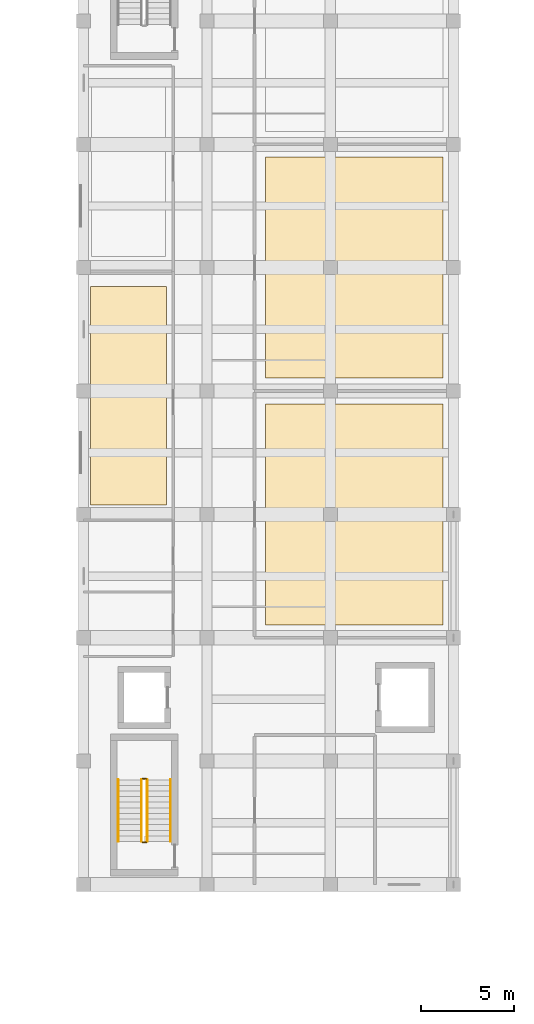
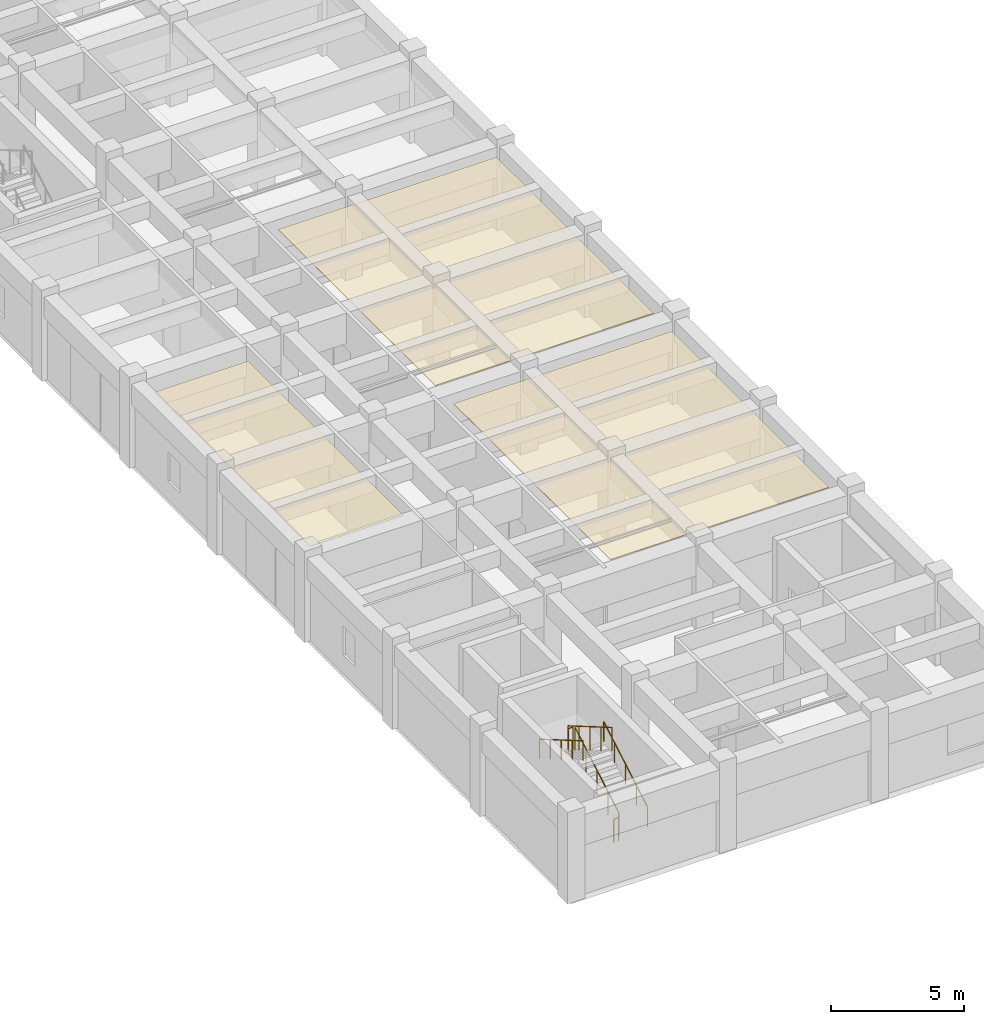
# One storey, part 145 of 148: 6 railings, 3 coverings.
"""IFC4 building model written with IfcOpenShell, lengths in metres."""

from ifc_helpers import new_model, si_unit, direction, frame, origin, origin_2d, place, context, subcontext, project, spatial, polyline, circle, outline, extrude, material, layer, layer_set, type_object, element, save


model = new_model("IFC4")

# Units and contexts
model_context = context("Model", 3, precision=1e-05, world=origin(), true_north=direction((0.0, 1.0)))
body_context = subcontext(model_context, "Body", "Model", "MODEL_VIEW")
ifc_project = project(units=[si_unit("LENGTHUNIT", "METRE"), si_unit("AREAUNIT", "SQUARE_METRE"), si_unit("VOLUMEUNIT", "CUBIC_METRE"), si_unit("PLANEANGLEUNIT", "RADIAN"), si_unit("MASSUNIT", "GRAM", prefix="KILO")], contexts=[model_context])

# Site, building, storey
site_placement = place(None, origin())
site = spatial("IfcSite", under=ifc_project, at=site_placement, CompositionType="ELEMENT")
building_placement = place(site_placement, origin())
building = spatial("IfcBuilding", under=site, at=building_placement, Name="Karori Crest Natural Sciences Institute", CompositionType="ELEMENT")
storey_placement = place(building_placement, frame((0.0, 0.0, 4.89990234375)))
storey = spatial("IfcBuildingStorey", under=building, at=storey_placement, Name="L01", CompositionType="ELEMENT", Elevation=4.89990234375)

# Coverings
ifc_material_1 = material(Name="Acoustic mineral fibre ceiling tile")
ifc_layer = layer(ifc_material_1, 0.02490234375, Name="Acoustic mineral fibre ceiling tile")
ifc_layer_set = layer_set([ifc_layer], Name="Acoustic mineral fibre ceiling tile")
covering_type = type_object("IfcCoveringType", Name="CVT-CEIL", PredefinedType="CEILING", material=ifc_layer_set)
covering_1_placement = place(storey_placement, frame((0.0, 0.0, 3.625)))
element("IfcCovering", 1, at=covering_1_placement, inside=storey, type_object=covering_type, Name="Acoustic ceiling CLG-0023", PredefinedType="CEILING", context=body_context, shape_type="SweptSolid", body=[
    extrude(outline(polyline([(7.76953125, 126.998779296875), (7.76953125, 115.30126953125), (11.830322265625, 115.30126953125), (11.830322265625, 126.998779296875), (7.76953125, 126.998779296875)])), origin(), (0.0, 0.0, 1.0), 0.025146484375),
])
covering_2_placement = place(storey_placement, frame((0.0, 0.0, 3.625)))
element("IfcCovering", 2, at=covering_2_placement, inside=storey, type_object=covering_type, Name="Acoustic ceiling CLG-0026", PredefinedType="CEILING", context=body_context, shape_type="SweptSolid", body=[
    extrude(outline(polyline([(17.128173828125, 120.714111328125), (17.128173828125, 108.885986328125), (26.621826171875, 108.885986328125), (26.621826171875, 120.714111328125), (17.128173828125, 120.714111328125)])), origin(), (0.0, 0.0, 1.0), 0.025146484375),
])
covering_3_placement = place(storey_placement, frame((0.0, 0.0, 3.625)))
element("IfcCovering", 3, at=covering_3_placement, inside=storey, type_object=covering_type, Name="Acoustic ceiling CLG-0027", PredefinedType="CEILING", context=body_context, shape_type="SweptSolid", body=[
    extrude(outline(polyline([(17.128173828125, 133.9140625), (17.128173828125, 122.0859375), (26.621826171875, 122.0859375), (26.621826171875, 133.9140625), (17.128173828125, 133.9140625)])), origin(), (0.0, 0.0, 1.0), 0.025146484375),
])

# Railings
ifc_material_2 = material(Name="Stainless steel 316 tubular handrail", Category="steel")
railing_type_1 = type_object("IfcRailingType", Name="RLT-HND", PredefinedType="HANDRAIL", material=ifc_material_2)
railing_1_placement = place(storey_placement, frame((12.050048828125, 97.300048828125, 0.175048828125)))
element("IfcRailing", 4, at=railing_1_placement, inside=storey, type_object=railing_type_1, Name="Stair handrail RL-0243", PredefinedType="HANDRAIL", context=body_context, shape_type="SweptSolid", body=[
    extrude(circle(Radius=0.02392578125, at=origin_2d()), frame((0.0, 0.0, 0.90087890625), z_axis=(0.0, 0.863776583165, 0.503874998761), x_axis=(-1.0, 0.0, 0.0)), (0.0, 0.0, 1.0), 3.820556640625),
    extrude(circle(Radius=0.02099609375, at=origin_2d()), origin(), (0.0, 0.0, 1.0), 0.876953125),
    extrude(circle(Radius=0.02099609375, at=origin_2d()), frame((0.0, 0.824951171875, 0.481201171875)), (0.0, 0.0, 1.0), 0.876953125),
    extrude(circle(Radius=0.02099609375, at=origin_2d()), frame((0.0, 1.64990234375, 0.96240234375)), (0.0, 0.0, 1.0), 0.876953125),
    extrude(circle(Radius=0.02099609375, at=origin_2d()), frame((0.0, 2.47509765625, 1.44384765625)), (0.0, 0.0, 1.0), 0.876953125),
    extrude(circle(Radius=0.02099609375, at=origin_2d()), frame((0.0, 3.300048828125, 1.925048828125)), (0.0, 0.0, 1.0), 0.876953125),
])
railing_2_placement = place(storey_placement, frame((9.25, 100.60009765625, 2.275146484375)))
element("IfcRailing", 5, at=railing_2_placement, inside=storey, type_object=railing_type_1, Name="Stair handrail RL-0244", PredefinedType="HANDRAIL", context=body_context, shape_type="SweptSolid", body=[
    extrude(circle(Radius=0.02392578125, at=origin_2d()), frame((0.0, 0.0, 0.90087890625), z_axis=(0.0, -0.863776583165, 0.503874998761), x_axis=(1.0, 0.0, 0.0)), (0.0, 0.0, 1.0), 3.820556640625),
    extrude(circle(Radius=0.02099609375, at=origin_2d()), origin(), (0.0, 0.0, 1.0), 0.876953125),
    extrude(circle(Radius=0.02099609375, at=origin_2d()), frame((0.0, -0.824951171875, 0.481201171875)), (0.0, 0.0, 1.0), 0.876953125),
    extrude(circle(Radius=0.02099609375, at=origin_2d()), frame((0.0, -1.64990234375, 0.96240234375)), (0.0, 0.0, 1.0), 0.876953125),
    extrude(circle(Radius=0.02099609375, at=origin_2d()), frame((0.0, -2.47509765625, 1.44384765625)), (0.0, 0.0, 1.0), 0.876953125),
    extrude(circle(Radius=0.02099609375, at=origin_2d()), frame((0.0, -3.300048828125, 1.925048828125)), (0.0, 0.0, 1.0), 0.876953125),
])
ifc_material_3 = material(Name="Stainless steel 316 stair guard", Category="steel")
railing_type_2 = type_object("IfcRailingType", Name="RLT-STG", PredefinedType="GUARDRAIL", material=ifc_material_3)
railing_3_placement = place(storey_placement, frame((10.800048828125, 97.300048828125, 0.175048828125)))
element("IfcRailing", 6, at=railing_3_placement, inside=storey, type_object=railing_type_2, Name="Stair guard RL-0239", PredefinedType="GUARDRAIL", context=body_context, shape_type="SweptSolid", body=[
    extrude(circle(Radius=0.02392578125, at=origin_2d()), frame((0.0, 0.0, 1.076171875), z_axis=(0.0, 0.863776583165, 0.503874998761), x_axis=(-1.0, 0.0, 0.0)), (0.0, 0.0, 1.0), 3.820556640625),
    extrude(circle(Radius=0.02099609375, at=origin_2d()), origin(), (0.0, 0.0, 1.0), 1.052001953125),
    extrude(circle(Radius=0.02099609375, at=origin_2d()), frame((0.0, 0.824951171875, 0.481201171875)), (0.0, 0.0, 1.0), 1.052001953125),
    extrude(circle(Radius=0.02099609375, at=origin_2d()), frame((0.0, 1.64990234375, 0.96240234375)), (0.0, 0.0, 1.0), 1.052001953125),
    extrude(circle(Radius=0.02099609375, at=origin_2d()), frame((0.0, 2.47509765625, 1.44384765625)), (0.0, 0.0, 1.0), 1.052001953125),
    extrude(circle(Radius=0.02099609375, at=origin_2d()), frame((0.0, 3.300048828125, 1.925048828125)), (0.0, 0.0, 1.0), 1.052001953125),
])
railing_4_placement = place(storey_placement, frame((10.75, 100.64990234375, 2.10009765625)))
element("IfcRailing", 7, at=railing_4_placement, inside=storey, type_object=railing_type_2, Name="Stair guard RL-0240", PredefinedType="GUARDRAIL", context=body_context, shape_type="SweptSolid", body=[
    extrude(circle(Radius=0.02392578125, at=origin_2d()), frame((0.0, 0.0, 1.076171875), z_axis=(-1.0, 0.0, 0.0), x_axis=(0.0, -1.0, 0.0)), (0.0, 0.0, 1.0), 0.199951171875),
    extrude(circle(Radius=0.02099609375, at=origin_2d()), origin(), (0.0, 0.0, 1.0), 1.052001953125),
    extrude(circle(Radius=0.02099609375, at=origin_2d()), frame((-0.199951171875, 0.0, 0.0)), (0.0, 0.0, 1.0), 1.052001953125),
])
railing_5_placement = place(storey_placement, frame((10.5, 100.60009765625, 2.275146484375)))
element("IfcRailing", 8, at=railing_5_placement, inside=storey, type_object=railing_type_2, Name="Stair guard RL-0241", PredefinedType="GUARDRAIL", context=body_context, shape_type="SweptSolid", body=[
    extrude(circle(Radius=0.02392578125, at=origin_2d()), frame((0.0, 0.0, 1.076171875), z_axis=(0.0, -0.863776583165, 0.503874998761), x_axis=(1.0, 0.0, 0.0)), (0.0, 0.0, 1.0), 3.820556640625),
    extrude(circle(Radius=0.02099609375, at=origin_2d()), origin(), (0.0, 0.0, 1.0), 1.052001953125),
    extrude(circle(Radius=0.02099609375, at=origin_2d()), frame((0.0, -0.824951171875, 0.481201171875)), (0.0, 0.0, 1.0), 1.052001953125),
    extrude(circle(Radius=0.02099609375, at=origin_2d()), frame((0.0, -1.64990234375, 0.96240234375)), (0.0, 0.0, 1.0), 1.052001953125),
    extrude(circle(Radius=0.02099609375, at=origin_2d()), frame((0.0, -2.47509765625, 1.44384765625)), (0.0, 0.0, 1.0), 1.052001953125),
    extrude(circle(Radius=0.02099609375, at=origin_2d()), frame((0.0, -3.300048828125, 1.925048828125)), (0.0, 0.0, 1.0), 1.052001953125),
])
railing_6_placement = place(storey_placement, frame((10.75, 97.25, 0.0)))
element("IfcRailing", 9, at=railing_6_placement, inside=storey, type_object=railing_type_2, Name="Stair guard RL-0242", PredefinedType="GUARDRAIL", context=body_context, shape_type="SweptSolid", body=[
    extrude(circle(Radius=0.02392578125, at=origin_2d()), frame((0.0, 0.0, 1.076171875), z_axis=(-1.0, 0.0, 0.0), x_axis=(0.0, -1.0, 0.0)), (0.0, 0.0, 1.0), 0.199951171875),
    extrude(circle(Radius=0.02099609375, at=origin_2d()), origin(), (0.0, 0.0, 1.0), 1.052001953125),
    extrude(circle(Radius=0.02099609375, at=origin_2d()), frame((-0.199951171875, 0.0, 0.0)), (0.0, 0.0, 1.0), 1.052001953125),
])

save(model, "model.ifc")
